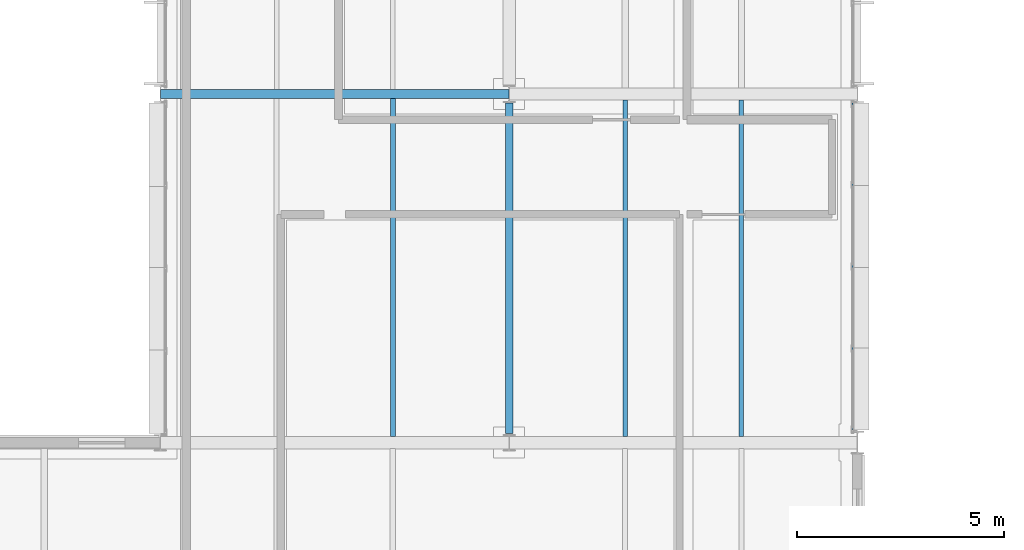
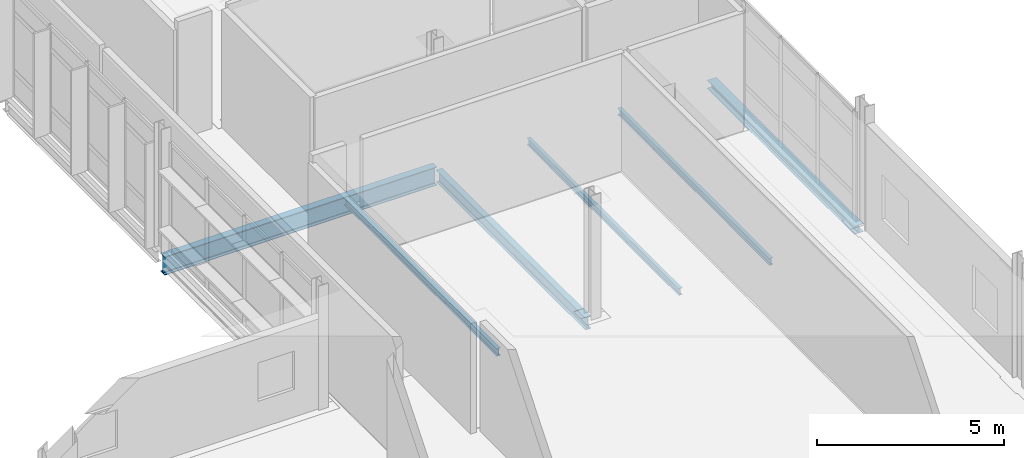
# One storey, part 76 of 151: 6 beams.
"""IFC4 building model written with IfcOpenShell, lengths in metres."""

from ifc_helpers import new_model, si_unit, direction, frame, origin, origin_2d, place, context, subcontext, project, spatial, i_section, extrude, material, material_profile, profile_set, type_object, element, save


model = new_model("IFC4")

# Units and contexts
model_context = context("Model", 3, precision=1e-05, world=origin(), true_north=direction((0.0, 1.0)))
body_context = subcontext(model_context, "Body", "Model", "MODEL_VIEW")
ifc_project = project(units=[si_unit("LENGTHUNIT", "METRE"), si_unit("AREAUNIT", "SQUARE_METRE"), si_unit("VOLUMEUNIT", "CUBIC_METRE"), si_unit("PLANEANGLEUNIT", "RADIAN"), si_unit("MASSUNIT", "GRAM", prefix="KILO")], contexts=[model_context])

# Site, building, storey
site_placement = place(None, origin())
site = spatial("IfcSite", under=ifc_project, at=site_placement, CompositionType="ELEMENT")
building_placement = place(site_placement, origin())
building = spatial("IfcBuilding", under=site, at=building_placement, Name="Mersafa Astral City Hall", CompositionType="ELEMENT")
storey_placement = place(building_placement, frame((0.0, 0.0, 9.89990234375)))
storey = spatial("IfcBuildingStorey", under=building, at=storey_placement, Name="L02", CompositionType="ELEMENT", Elevation=9.89990234375)

# Beams
ifc_material = material(Name="Steel S355", Category="steel")
ifc_material_profile_1 = material_profile(ifc_material, i_section(OverallWidth=0.179931640625, OverallDepth=0.39990234375, WebThickness=0.008544921875, FlangeThickness=0.013427734375, FilletRadius=0.02099609375, at=origin_2d()), Name="IPE 400")
ifc_profile_set_1 = profile_set([ifc_material_profile_1], Name="Steel S355")
beam_type_1 = type_object("IfcBeamType", Name="STR-BM-IPE400", PredefinedType="BEAM", material=ifc_profile_set_1)
beam_1_placement = place(storey_placement, frame((109.199951171875, 92.6201171875, -0.39990234375), z_axis=(0.0, 1.0, 0.0), x_axis=(-1.0, 0.0, 0.0)))
element("IfcBeam", 1, at=beam_1_placement, inside=storey, type_object=beam_type_1, Name="L02 Primary girder Y 13-11", PredefinedType="BEAM", context=body_context, shape_type="SweptSolid", body=[
    extrude(i_section(OverallWidth=0.179931640625, OverallDepth=0.39990234375, WebThickness=0.008544921875, FlangeThickness=0.013427734375, FilletRadius=0.02099609375, at=origin_2d()), origin(), (0.0, 0.0, 1.0), 7.9599609375),
])
ifc_material_profile_2 = material_profile(ifc_material, i_section(OverallWidth=0.219970703125, OverallDepth=0.60009765625, WebThickness=0.011962890625, FlangeThickness=0.01904296875, FilletRadius=0.02392578125, at=origin_2d()), Name="IPE 600")
ifc_profile_set_2 = profile_set([ifc_material_profile_2], Name="Steel S355")
beam_type_2 = type_object("IfcBeamType", Name="STR-BM-IPE600", PredefinedType="BEAM", material=ifc_profile_set_2)
beam_2_placement = place(storey_placement, frame((100.802978515625, 100.800048828125, -0.5), z_axis=(1.0, 0.0, 0.0), x_axis=(0.0, 1.0, 0.0)))
element("IfcBeam", 2, at=beam_2_placement, inside=storey, type_object=beam_type_2, Name="L02 Primary girder X 12-12", PredefinedType="BEAM", context=body_context, shape_type="SweptSolid", body=[
    extrude(i_section(OverallWidth=0.219970703125, OverallDepth=0.60009765625, WebThickness=0.011962890625, FlangeThickness=0.01904296875, FilletRadius=0.02392578125, at=origin_2d()), origin(), (0.0, 0.0, 1.0), 8.39404296875),
])
ifc_material_profile_3 = material_profile(ifc_material, i_section(OverallWidth=0.110107421875, OverallDepth=0.219970703125, WebThickness=0.005859375, FlangeThickness=0.00927734375, FilletRadius=0.011962890625, at=origin_2d()), Name="IPE 220")
ifc_profile_set_3 = profile_set([ifc_material_profile_3], Name="Steel S355")
beam_type_3 = type_object("IfcBeamType", Name="STR-BM-JOIST-IPE220", PredefinedType="JOIST", material=ifc_profile_set_3)
for number, where, z_axis, x_axis, name in (
    (3, (112.0, 92.544921875, -0.309814453125), (0.0, 1.0, 0.0), (-1.0, 0.0, 0.0), "L02 Composite secondary floor joist 486"),
    (4, (114.800048828125, 92.544921875, -0.309814453125), (0.0, 1.0, 0.0), (-1.0, 0.0, 0.0), "L02 Composite secondary floor joist 487"),
):
    element("IfcBeam", number, at=place(storey_placement, frame(where, z_axis=z_axis, x_axis=x_axis)), inside=storey, type_object=beam_type_3, Name=name, PredefinedType="JOIST", context=body_context, shape_type="SweptSolid", body=[
        extrude(i_section(OverallWidth=0.110107421875, OverallDepth=0.219970703125, WebThickness=0.005859375, FlangeThickness=0.00927734375, FilletRadius=0.011962890625, at=origin_2d()), origin(), (0.0, 0.0, 1.0), 8.110107421875),
    ])
ifc_material_profile_4 = material_profile(ifc_material, i_section(OverallWidth=0.1201171875, OverallDepth=0.239990234375, WebThickness=0.006103515625, FlangeThickness=0.009765625, FilletRadius=0.014892578125, at=origin_2d()), Name="IPE 240")
ifc_profile_set_4 = profile_set([ifc_material_profile_4], Name="Steel S355")
beam_type_4 = type_object("IfcBeamType", Name="STR-BM-JOIST-IPE240", PredefinedType="JOIST", material=ifc_profile_set_4)
beam_3_placement = place(storey_placement, frame((106.39990234375, 92.544921875, -0.31982421875), z_axis=(0.0, 1.0, 0.0), x_axis=(-1.0, 0.0, 0.0)))
element("IfcBeam", 5, at=beam_3_placement, inside=storey, type_object=beam_type_4, Name="L02 Composite secondary floor joist 463", PredefinedType="JOIST", context=body_context, shape_type="SweptSolid", body=[
    extrude(i_section(OverallWidth=0.1201171875, OverallDepth=0.239990234375, WebThickness=0.006103515625, FlangeThickness=0.009765625, FilletRadius=0.014892578125, at=origin_2d()), origin(), (0.0, 0.0, 1.0), 8.150146484375),
])
ifc_material_profile_5 = material_profile(ifc_material, i_section(OverallWidth=0.280029296875, OverallDepth=0.27001953125, WebThickness=0.008056640625, FlangeThickness=0.012939453125, FilletRadius=0.02392578125, at=origin_2d()), Name="HEA 280")
ifc_profile_set_5 = profile_set([ifc_material_profile_5], Name="Steel S355")
beam_type_5 = type_object("IfcBeamType", Name="STR-BM-SPANDREL-HEA280", PredefinedType="SPANDREL", material=ifc_profile_set_5)
beam_4_placement = place(storey_placement, frame((117.60009765625, 92.719970703125, -0.3349609375), z_axis=(0.0, 1.0, 0.0), x_axis=(-1.0, 0.0, 0.0)))
element("IfcBeam", 6, at=beam_4_placement, inside=storey, type_object=beam_type_5, Name="L02 Primary girder Y 14-11", PredefinedType="SPANDREL", context=body_context, shape_type="SweptSolid", body=[
    extrude(i_section(OverallWidth=0.280029296875, OverallDepth=0.27001953125, WebThickness=0.008056640625, FlangeThickness=0.012939453125, FilletRadius=0.02392578125, at=origin_2d()), origin(), (0.0, 0.0, 1.0), 7.860107421875),
])

save(model, "model.ifc")
